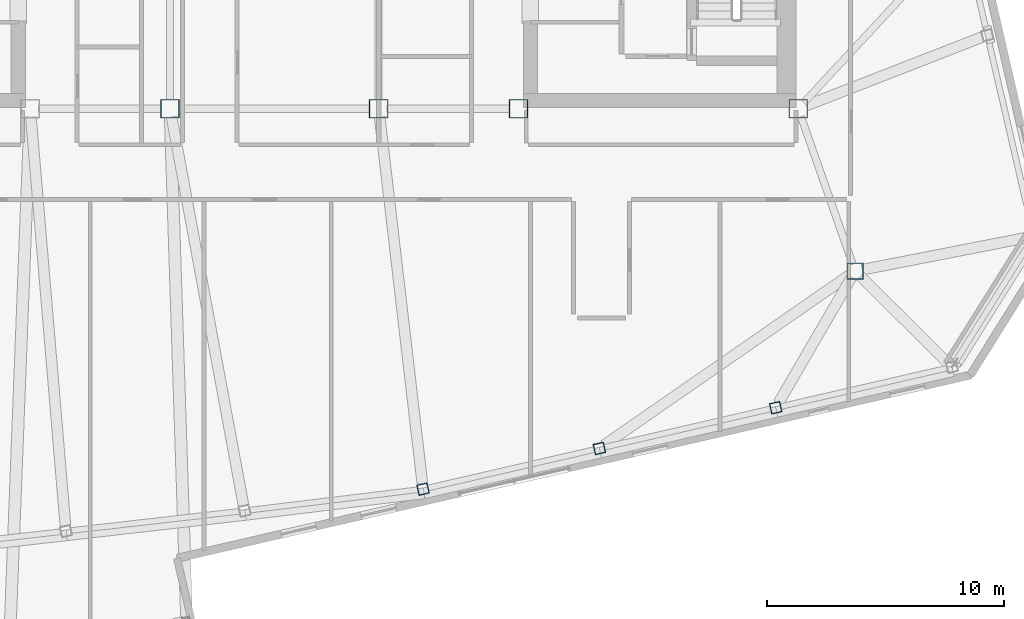
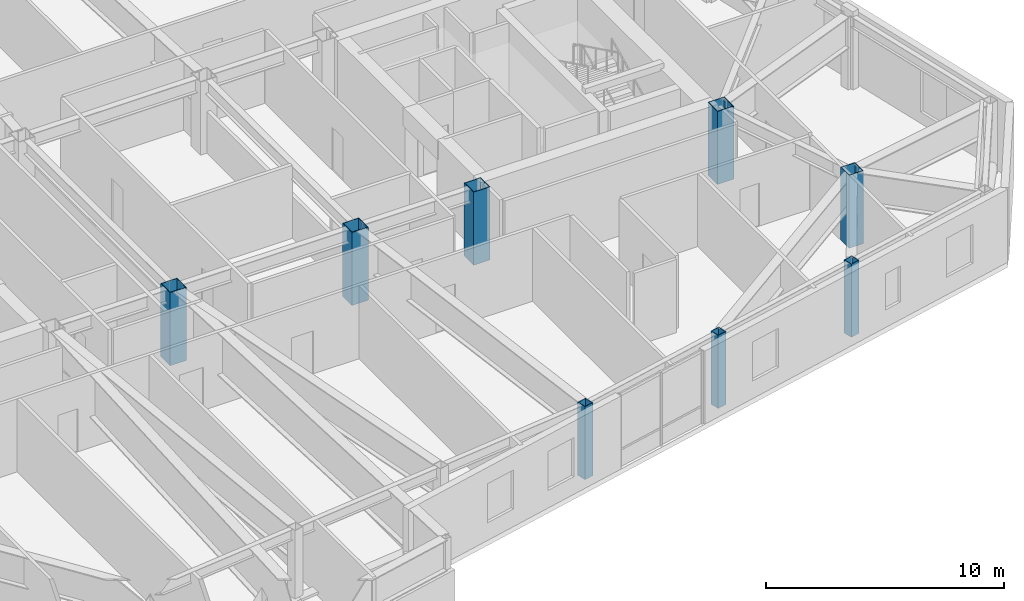
# One storey, part 2 of 21: 8 columns.
"""IFC4 building model written with IfcOpenShell, lengths in metres."""

import ifcopenshell
import ifcopenshell.guid

model = None  # the IFC model being written
_history = None  # IfcOwnerHistory: only IFC2X3 demands one
_inside = {}  # id of a spatial element -> (the spatial element, [elements in it])
_under = {}  # id of a project, library or spatial element -> (it, [spatial elements below it])
_declared = {}  # id of a project -> (the project, [libraries it declares])
_typed = {}  # id of a type object -> (the type object, [elements of that type])
_made_of = {}  # id of a material, layer set ... -> (it, [elements and type objects made of it])


def new_model(schema):
    """Start an empty IFC model of exactly this schema.

    Asked for "IFC4X3", IfcOpenShell would pick the latest addendum, in which some entities
    have other attributes; the version numbers below select the first issue.
    IFC2X3 requires an IfcOwnerHistory on every rooted entity: one is made here for all.
    """
    global model, _history
    if schema == "IFC4X3":
        model = ifcopenshell.file(schema_version=(4, 3, 0, 0))
    else:
        model = ifcopenshell.file(schema=schema)
    _inside.clear()
    _under.clear()
    _declared.clear()
    _typed.clear()
    _made_of.clear()
    _history = None
    if model.schema == "IFC2X3":
        org = make("IfcOrganization", Name="unknown")
        user = make(
            "IfcPersonAndOrganization",
            ThePerson=make("IfcPerson", FamilyName="unknown"),
            TheOrganization=org,
        )
        app = make(
            "IfcApplication",
            ApplicationDeveloper=org,
            Version="unknown",
            ApplicationFullName="unknown",
            ApplicationIdentifier="unknown",
        )
        _history = make(
            "IfcOwnerHistory",
            OwningUser=user,
            OwningApplication=app,
            ChangeAction="ADDED",
            CreationDate=0,
        )
    return model


def make(cls, **values):
    """One entity of the class cls with the attributes given. An attribute that is None is left unset."""
    return model.create_entity(
        cls, **{name: value for name, value in values.items() if value is not None}
    )


def rooted(cls, **values):
    """An entity with a GlobalId (a new one), such as an element, a storey or a relation."""
    return make(cls, GlobalId=ifcopenshell.guid.new(), OwnerHistory=_history, **values)


def si_unit(unit_type, name, prefix=None):
    """IfcSIUnit, for example si_unit("LENGTHUNIT", "METRE", prefix="MILLI")."""
    return make("IfcSIUnit", UnitType=unit_type, Prefix=prefix, Name=name)


def assignment(units):
    """IfcUnitAssignment: the units of a project."""
    return None if units is None else make("IfcUnitAssignment", Units=units)


def point(xyz):
    """IfcCartesianPoint."""
    return None if xyz is None else make("IfcCartesianPoint", Coordinates=xyz)


def direction(xyz):
    """IfcDirection."""
    return None if xyz is None else make("IfcDirection", DirectionRatios=xyz)


def frame(location, z_axis=None, x_axis=None):
    """IfcAxis2Placement3D, a coordinate frame: its origin and axes. An axis left out is left unset."""
    return make(
        "IfcAxis2Placement3D",
        Location=point(location),
        Axis=direction(z_axis),
        RefDirection=direction(x_axis),
    )


def frame_2d(location, x_axis=None):
    """IfcAxis2Placement2D, a coordinate frame in the plane: its origin and x axis."""
    return make(
        "IfcAxis2Placement2D", Location=point(location), RefDirection=direction(x_axis)
    )


def origin():
    """The frame at (0, 0, 0) with its axes left unset."""
    return frame((0.0, 0.0, 0.0))


def origin_2d():
    """The frame at (0, 0) in the plane with its x axis left unset."""
    return frame_2d((0.0, 0.0))


def place(relative_to, where):
    """IfcLocalPlacement: puts the frame where relative to a parent placement (None: the world)."""
    return make(
        "IfcLocalPlacement", PlacementRelTo=relative_to, RelativePlacement=where
    )


def context(
    kind, dimensions, precision=None, world=None, true_north=None, identifier=None
):
    """IfcGeometricRepresentationContext, for example the 3D "Model" context."""
    return make(
        "IfcGeometricRepresentationContext",
        ContextIdentifier=identifier,
        ContextType=kind,
        CoordinateSpaceDimension=dimensions,
        Precision=precision,
        WorldCoordinateSystem=world,
        TrueNorth=true_north,
    )


def subcontext(parent, identifier, kind, view, scale=None):
    """IfcGeometricRepresentationSubContext, for example "Body" below "Model"."""
    return make(
        "IfcGeometricRepresentationSubContext",
        ContextIdentifier=identifier,
        ContextType=kind,
        ParentContext=parent,
        TargetScale=scale,
        TargetView=view,
    )


def project(units=None, contexts=None):
    """IfcProject with its units and contexts."""
    return rooted(
        "IfcProject",
        Name="project",
        RepresentationContexts=contexts,
        UnitsInContext=assignment(units),
    )


def spatial(cls, under=None, at=None, **own):
    """A site, building, storey or space (cls), placed at a placement, below another one or the project."""
    s = rooted(cls, ObjectPlacement=at, **own)
    if under is not None:
        _under.setdefault(under.id(), (under, []))[1].append(s)
    return s


def profile(cls, at=None, kind="AREA", **sizes):
    """A parametric profile (cls). Its sizes go by their IFC names, for example OverallWidth=200.0."""
    return make(cls, ProfileType=kind, Position=at, **sizes)


def hollow_rectangle(**sizes):
    """IfcRectangleHollowProfileDef."""
    return profile("IfcRectangleHollowProfileDef", **sizes)


def extrude(swept, where, along, depth):
    """IfcExtrudedAreaSolid: the profile swept, set in the frame where, extruded along a direction by depth."""
    return make(
        "IfcExtrudedAreaSolid",
        SweptArea=swept,
        Position=where,
        ExtrudedDirection=direction(along),
        Depth=depth,
    )


def shape(context_of_items, identifier, shape_type, items):
    """IfcShapeRepresentation: the items that make up one representation, for example the "Body"."""
    return make(
        "IfcShapeRepresentation",
        ContextOfItems=context_of_items,
        RepresentationIdentifier=identifier,
        RepresentationType=shape_type,
        Items=items,
    )


def material(Name=None, Category=None):
    """IfcMaterial."""
    return make("IfcMaterial", Name=Name, Category=Category)


def material_profile(
    of_material, cross_section, Name=None, Category=None, Priority=None
):
    """IfcMaterialProfile: a cross section and its material."""
    return make(
        "IfcMaterialProfile",
        Name=Name,
        Material=of_material,
        Profile=cross_section,
        Priority=Priority,
        Category=Category,
    )


def profile_set(profiles, Name=None, composite=None):
    """IfcMaterialProfileSet."""
    return make(
        "IfcMaterialProfileSet",
        Name=Name,
        MaterialProfiles=profiles,
        CompositeProfile=composite,
    )


def made_of(thing, what):
    """Note that an element or type object is made of a material, layer set ...; save() writes the relation."""
    if what is not None:
        _made_of.setdefault(what.id(), (what, []))[1].append(thing)
    return thing


def type_object(cls, material=None, **own):
    """A type object (cls), such as IfcWallType, which elements share."""
    return made_of(rooted(cls, **own), material)


def element(
    cls,
    number,
    at=None,
    inside=None,
    cuts=None,
    type_object=None,
    material=None,
    context=None,
    identifier="Body",
    shape_type=None,
    held_by="IfcProductDefinitionShape",
    body=None,
    shapes=None,
    **own,
):
    """One element of the class cls, such as IfcWall. Its Tag is "e" and its number.

    at: its placement. inside: the storey or other place that contains it. cuts: it is an
    opening in that element (IfcRelVoidsElement). A single representation is given by context,
    identifier, shape_type and body (its items); several are given by shapes. held_by: the class
    of the entity that holds the representations. save() writes the other relations.
    """
    e = rooted(cls, Tag="e%d" % number, ObjectPlacement=at, **own)
    if body is not None:
        shapes = [shape(context, identifier, shape_type, body)]
    if shapes is not None:
        e.Representation = make(held_by, Representations=shapes)
    if inside is not None:
        _inside.setdefault(inside.id(), (inside, []))[1].append(e)
    if cuts is not None:
        rooted(
            "IfcRelVoidsElement", RelatingBuildingElement=cuts, RelatedOpeningElement=e
        )
    if type_object is not None:
        _typed.setdefault(type_object.id(), (type_object, []))[1].append(e)
    return made_of(e, material)


def aggregate(whole, parts):
    """IfcRelAggregates: a whole, such as a stair, and the parts it consists of."""
    return rooted("IfcRelAggregates", RelatingObject=whole, RelatedObjects=parts)


def save(model, path):
    """Write the relations noted so far, then the file.

    IfcRelAggregates (storeys below a building ...), IfcRelContainedInSpatialStructure (elements
    in a storey), IfcRelDefinesByType, IfcRelAssociatesMaterial and IfcRelDeclares: one each for
    every whole, place, type object, material and project.
    """
    for whole, parts in _under.values():
        aggregate(whole, parts)
    for where, things in _inside.values():
        rooted(
            "IfcRelContainedInSpatialStructure",
            RelatedElements=things,
            RelatingStructure=where,
        )
    for kind, things in _typed.values():
        rooted("IfcRelDefinesByType", RelatedObjects=things, RelatingType=kind)
    for what, things in _made_of.values():
        rooted("IfcRelAssociatesMaterial", RelatedObjects=things, RelatingMaterial=what)
    for by, libraries in _declared.values():
        rooted("IfcRelDeclares", RelatingContext=by, RelatedDefinitions=libraries)
    model.write(path)


model = new_model("IFC4")

# Units and contexts
model_context = context("Model", 3, precision=1e-05, world=origin(), true_north=direction((0.0, 1.0)))
body_context = subcontext(model_context, "Body", "Model", "MODEL_VIEW")
ifc_project = project(units=[si_unit("LENGTHUNIT", "METRE"), si_unit("AREAUNIT", "SQUARE_METRE"), si_unit("VOLUMEUNIT", "CUBIC_METRE"), si_unit("PLANEANGLEUNIT", "RADIAN"), si_unit("MASSUNIT", "GRAM", prefix="KILO")], contexts=[model_context])

# Site, building, storey
site_placement = place(None, origin())
site = spatial("IfcSite", under=ifc_project, at=site_placement, CompositionType="ELEMENT")
building_placement = place(site_placement, origin())
building = spatial("IfcBuilding", under=site, at=building_placement, Name="Tavrogorsk Clinical Tower", CompositionType="ELEMENT")
storey_placement = place(building_placement, frame((0.0, 0.0, 281.0)))
storey = spatial("IfcBuildingStorey", under=building, at=storey_placement, Name="L65", CompositionType="ELEMENT", Elevation=281.0)

# Columns
ifc_material_1 = material(Name="Structural steel S440", Category="steel")
ifc_material_profile_1 = material_profile(ifc_material_1, hollow_rectangle(XDim=0.699951171875, YDim=0.699951171875, WallThickness=0.031982421875, at=origin_2d()), Name="BOX-700x700x32")
ifc_profile_set_1 = profile_set([ifc_material_profile_1], Name="Structural steel S440")
column_type_1 = type_object("IfcColumnType", Name="MegaCol_BOX700", PredefinedType="COLUMN", material=ifc_profile_set_1)
column_placement = place(storey_placement, frame((24.5, -13.199951171875, 0.0), z_axis=(0.0, 0.0, 1.0), x_axis=(1.0, 0.0, 0.0)))
element("IfcColumn", 1, at=column_placement, inside=storey, type_object=column_type_1, Name="L65 Spine Pilotis Column MC-P2", PredefinedType="COLUMN", context=body_context, shape_type="SweptSolid", body=[
    extrude(hollow_rectangle(XDim=0.699951171875, YDim=0.699951171875, WallThickness=0.031982421875, at=origin_2d()), origin(), (0.0, 0.0, 1.0), 3.739990234375),
])
ifc_material_2 = material(Name="Structural steel S440", Category="steel")
ifc_material_profile_2 = material_profile(ifc_material_2, hollow_rectangle(XDim=0.800048828125, YDim=0.800048828125, WallThickness=0.035888671875, at=origin_2d()), Name="BOX-800x800x36")
ifc_profile_set_2 = profile_set([ifc_material_profile_2], Name="Structural steel S440")
column_type_2 = type_object("IfcColumnType", Name="MegaCol_BOX800", PredefinedType="COLUMN", material=ifc_profile_set_2)
for number, where, z_axis, x_axis, name in (
    (2, (10.300048828125, -6.35009765625, 0.0), (0.0, 0.0, 1.0), (1.0, 0.0, 0.0), "L65 Mega Column MC-E1"),
    (3, (22.10009765625, -6.35009765625, 0.0), (0.0, 0.0, 1.0), (1.0, 0.0, 0.0), "L65 Mega Column MC-E3"),
    (4, (-4.39990234375, -6.35009765625, 0.0), (0.0, 0.0, 1.0), (1.0, 0.0, 0.0), "L65 Mega Column MC-C1"),
    (5, (4.39990234375, -6.35009765625, 0.0), (0.0, 0.0, 1.0), (1.0, 0.0, 0.0), "L65 Mega Column MC-C2"),
):
    element("IfcColumn", number, at=place(storey_placement, frame(where, z_axis=z_axis, x_axis=x_axis)), inside=storey, type_object=column_type_2, Name=name, PredefinedType="COLUMN", context=body_context, shape_type="SweptSolid", body=[
        extrude(hollow_rectangle(XDim=0.800048828125, YDim=0.800048828125, WallThickness=0.035888671875, at=origin_2d()), origin(), (0.0, 0.0, 1.0), 3.739990234375),
    ])
ifc_material_3 = material(Name="Structural steel S440", Category="steel")
ifc_material_profile_3 = material_profile(ifc_material_3, hollow_rectangle(XDim=0.449951171875, YDim=0.449951171875, WallThickness=0.02197265625, at=origin_2d()), Name="BOX-450x450x22")
ifc_profile_set_3 = profile_set([ifc_material_profile_3], Name="Structural steel S440")
column_type_3 = type_object("IfcColumnType", Name="PerimCol_B5_BOX450", PredefinedType="COLUMN", material=ifc_profile_set_3)
for number, where, z_axis, x_axis, name in (
    (6, (6.272705078125, -22.39697265625, 0.0), (0.0, 0.0, 1.0), (0.974370064785, 0.224951054344, 0.0), "L65 Perimeter Column S5"),
    (7, (13.711181640625, -20.6796875, 0.0), (0.0, 0.0, 1.0), (0.974370064785, 0.224951054344, 0.0), "L65 Perimeter Column S6"),
    (8, (21.14990234375, -18.96240234375, 0.0), (0.0, 0.0, 1.0), (0.974370064785, 0.224951054344, 0.0), "L65 Perimeter Column S7"),
):
    element("IfcColumn", number, at=place(storey_placement, frame(where, z_axis=z_axis, x_axis=x_axis)), inside=storey, type_object=column_type_3, Name=name, PredefinedType="COLUMN", context=body_context, shape_type="SweptSolid", body=[
        extrude(hollow_rectangle(XDim=0.449951171875, YDim=0.449951171875, WallThickness=0.02197265625, at=origin_2d()), origin(), (0.0, 0.0, 1.0), 3.739990234375),
    ])

save(model, "model.ifc")
